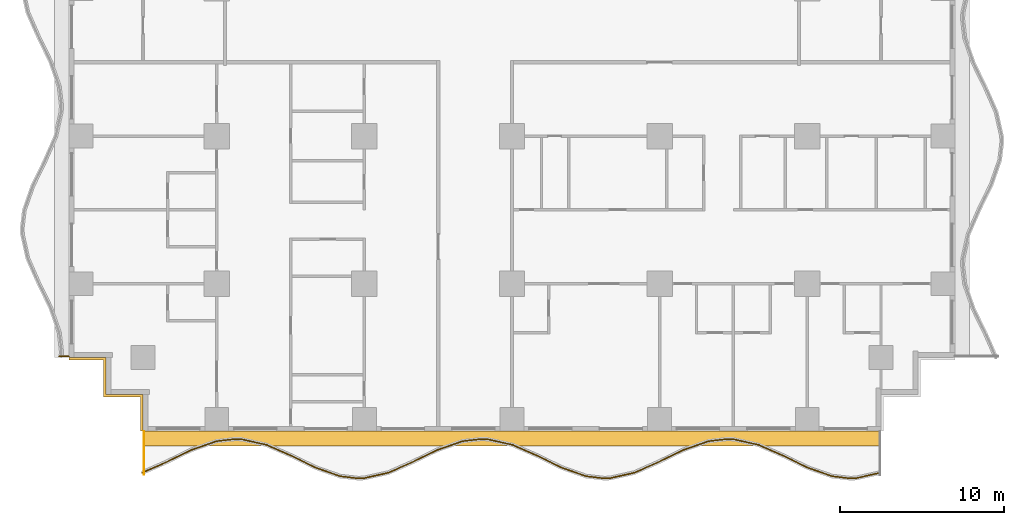
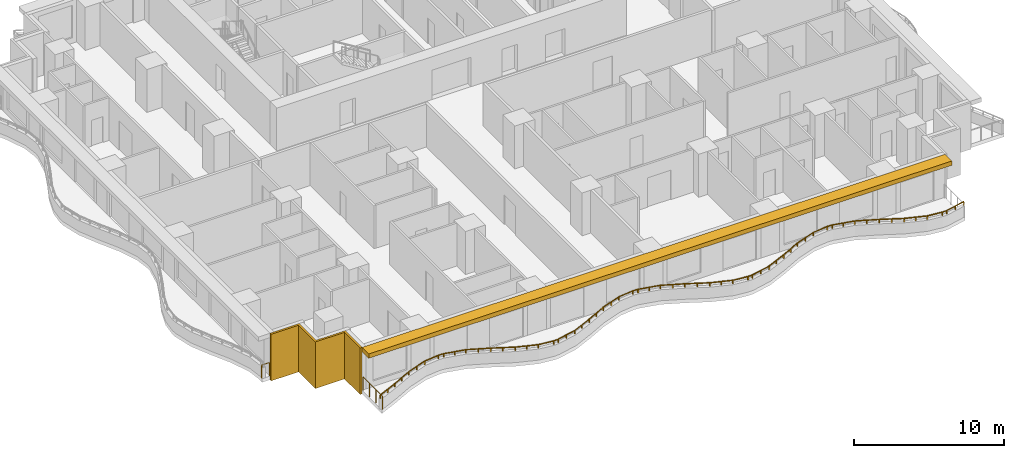
# One storey, part 8 of 14: 3 railings, 2 shading devices.
"""IFC4 building model written with IfcOpenShell, lengths in metres."""

from ifc_helpers import new_model, si_unit, direction, frame, origin, origin_2d, place, context, subcontext, project, spatial, polyline, rectangle, outline, extrude, material, layer, layer_set, type_object, element, save


model = new_model("IFC4")

# Units and contexts
model_context = context("Model", 3, precision=1e-05, world=origin(), true_north=direction((0.0, 1.0)))
body_context = subcontext(model_context, "Body", "Model", "MODEL_VIEW")
ifc_project = project(units=[si_unit("LENGTHUNIT", "METRE"), si_unit("AREAUNIT", "SQUARE_METRE"), si_unit("VOLUMEUNIT", "CUBIC_METRE"), si_unit("PLANEANGLEUNIT", "RADIAN"), si_unit("MASSUNIT", "GRAM", prefix="KILO")], contexts=[model_context])

# Site, building, storey
site_placement = place(None, origin())
site = spatial("IfcSite", under=ifc_project, at=site_placement, CompositionType="ELEMENT")
building_placement = place(site_placement, origin())
building = spatial("IfcBuilding", under=site, at=building_placement, Name="Orbiselva Terraces", CompositionType="ELEMENT")
storey_placement = place(building_placement, frame((0.0, 0.0, 26.4)))
storey = spatial("IfcBuildingStorey", under=building, at=storey_placement, Name="L06", CompositionType="ELEMENT", Elevation=26.4)

# Railings
ifc_material_1 = material(Name="Bonded two-ply safety glass balustrade, stainless steel posts", Category="steel")
railing_type_1 = type_object("IfcRailingType", Name="ENV-BALUSTRADE-1200", PredefinedType="BALUSTRADE", material=ifc_material_1)
railing_1_placement = place(storey_placement, frame((-22.550394, -25.034136, 0.9)))
element("IfcRailing", 1, at=railing_1_placement, inside=storey, type_object=railing_type_1, Name="Balcony balustrade L06 S", PredefinedType="BALUSTRADE", context=body_context, shape_type="SweptSolid", body=[
    extrude(outline(polyline([(0.028868, 0.0), (0.014434, 0.025), (-0.014434, 0.025), (-0.028868, 0.0), (-0.014434, -0.025), (0.014434, -0.025), (0.028868, 0.0)])), frame((0.0, 0.0, 0.275), z_axis=(0.915133498047, 0.403150940408, 0.0), x_axis=(-0.403150940408, 0.915133498047, 0.0)), (0.0, 0.0, 1.0), 1.636648),
    extrude(outline(polyline([(0.028868, 0.0), (0.014434, 0.025), (-0.014434, 0.025), (-0.028868, 0.0), (-0.014434, -0.025), (0.014434, -0.025), (0.028868, 0.0)])), frame((1.497751, 0.659816, 0.275), z_axis=(0.898578870221, 0.438812048596, 0.0), x_axis=(-0.438812048596, 0.898578870221, 0.0)), (0.0, 0.0, 1.0), 1.674225),
    extrude(outline(polyline([(0.028868, 0.0), (0.014434, 0.025), (-0.014434, 0.025), (-0.028868, 0.0), (-0.014434, -0.025), (0.014434, -0.025), (0.028868, 0.0)])), frame((3.002174, 1.394486, 0.275), z_axis=(0.943972332783, 0.330024597479, 0.0), x_axis=(-0.330024597479, 0.943972332783, 0.0)), (0.0, 0.0, 1.0), 1.610253),
    extrude(outline(polyline([(0.028868, 0.0), (0.014434, 0.025), (-0.014434, 0.025), (-0.028868, 0.0), (-0.014434, -0.025), (0.014434, -0.025), (0.028868, 0.0)])), frame((4.522208, 1.925909, 0.275), z_axis=(0.993309551734, 0.115482182324, 0.0), x_axis=(-0.115482182324, 0.993309551734, 0.0)), (0.0, 0.0, 1.0), 1.156135),
    extrude(outline(polyline([(0.028868, 0.0), (0.014434, 0.025), (-0.014434, 0.025), (-0.028868, 0.0), (-0.014434, -0.025), (0.014434, -0.025), (0.028868, 0.0)])), frame((5.670608, 2.059422, 0.275), z_axis=(0.999224734286, -0.03936915532, 0.0), x_axis=(0.03936915532, 0.999224734286, 0.0)), (0.0, 0.0, 1.0), 0.396376),
    extrude(outline(polyline([(0.028868, 0.0), (0.014434, 0.025), (-0.014434, 0.025), (-0.028868, 0.0), (-0.014434, -0.025), (0.014434, -0.025), (0.028868, 0.0)])), frame((6.066677, 2.043817, 0.275), z_axis=(0.97572137947, -0.219015500924, 0.0), x_axis=(0.219015500924, 0.97572137947, 0.0)), (0.0, 0.0, 1.0), 1.560867),
    extrude(outline(polyline([(0.028868, 0.0), (0.014434, 0.025), (-0.014434, 0.025), (-0.028868, 0.0), (-0.014434, -0.025), (0.014434, -0.025), (0.028868, 0.0)])), frame((7.589648, 1.701963, 0.275), z_axis=(0.915133527237, -0.403150874148, 0.0), x_axis=(0.403150874148, 0.915133527237, 0.0)), (0.0, 0.0, 1.0), 1.653736),
    extrude(outline(polyline([(0.028868, 0.0), (0.014434, 0.025), (-0.014434, 0.025), (-0.028868, 0.0), (-0.014434, -0.025), (0.014434, -0.025), (0.028868, 0.0)])), frame((9.103037, 1.035258, 0.275), z_axis=(0.89857890432, -0.438811978768, 0.0), x_axis=(0.438811978768, 0.89857890432, 0.0)), (0.0, 0.0, 1.0), 1.66438),
    extrude(outline(polyline([(0.028868, 0.0), (0.014434, 0.025), (-0.014434, 0.025), (-0.028868, 0.0), (-0.014434, -0.025), (0.014434, -0.025), (0.028868, 0.0)])), frame((10.598614, 0.304908, 0.275), z_axis=(0.943972277814, -0.330024754707, 0.0), x_axis=(0.330024754707, 0.943972277814, 0.0)), (0.0, 0.0, 1.0), 1.567807),
    extrude(outline(polyline([(0.028868, 0.0), (0.014434, 0.025), (-0.014434, 0.025), (-0.028868, 0.0), (-0.014434, -0.025), (0.014434, -0.025), (0.028868, 0.0)])), frame((12.07858, -0.212507, 0.275), z_axis=(0.993309658409, -0.115481264762, 0.0), x_axis=(0.115481264762, 0.993309658409, 0.0)), (0.0, 0.0, 1.0), 1.10902),
    extrude(outline(polyline([(0.028868, 0.0), (0.014434, 0.025), (-0.014434, 0.025), (-0.028868, 0.0), (-0.014434, -0.025), (0.014434, -0.025), (0.028868, 0.0)])), frame((13.18018, -0.340578, 0.275), z_axis=(0.999224931454, 0.039364150694, 0.0), x_axis=(-0.039364150694, 0.999224931454, 0.0)), (0.0, 0.0, 1.0), 0.354206),
    extrude(outline(polyline([(0.028868, 0.0), (0.014434, 0.025), (-0.014434, 0.025), (-0.028868, 0.0), (-0.014434, -0.025), (0.014434, -0.025), (0.028868, 0.0)])), frame((13.534111, -0.326635, 0.275), z_axis=(0.975721325753, 0.219015740235, 0.0), x_axis=(-0.219015740235, 0.975721325753, 0.0)), (0.0, 0.0, 1.0), 1.513782),
    extrude(outline(polyline([(0.028868, 0.0), (0.014434, 0.025), (-0.014434, 0.025), (-0.028868, 0.0), (-0.014434, -0.025), (0.014434, -0.025), (0.028868, 0.0)])), frame((15.01114, 0.004907, 0.275), z_axis=(0.915133363686, 0.403151245402, 0.0), x_axis=(-0.403151245402, 0.915133363686, 0.0)), (0.0, 0.0, 1.0), 1.624475),
    extrude(outline(polyline([(0.028868, 0.0), (0.014434, 0.025), (-0.014434, 0.025), (-0.028868, 0.0), (-0.014434, -0.025), (0.014434, -0.025), (0.028868, 0.0)])), frame((16.497751, 0.659816, 0.275), z_axis=(0.898578870221, 0.438812048596, 0.0), x_axis=(-0.438812048596, 0.898578870221, 0.0)), (0.0, 0.0, 1.0), 1.674225),
    extrude(outline(polyline([(0.028868, 0.0), (0.014434, 0.025), (-0.014434, 0.025), (-0.028868, 0.0), (-0.014434, -0.025), (0.014434, -0.025), (0.028868, 0.0)])), frame((18.002174, 1.394486, 0.275), z_axis=(0.943972332783, 0.330024597479, 0.0), x_axis=(-0.330024597479, 0.943972332783, 0.0)), (0.0, 0.0, 1.0), 1.610253),
    extrude(outline(polyline([(0.028868, 0.0), (0.014434, 0.025), (-0.014434, 0.025), (-0.028868, 0.0), (-0.014434, -0.025), (0.014434, -0.025), (0.028868, 0.0)])), frame((19.522208, 1.925909, 0.275), z_axis=(0.993309551734, 0.115482182324, 0.0), x_axis=(-0.115482182324, 0.993309551734, 0.0)), (0.0, 0.0, 1.0), 1.156135),
    extrude(outline(polyline([(0.028868, 0.0), (0.014434, 0.025), (-0.014434, 0.025), (-0.028868, 0.0), (-0.014434, -0.025), (0.014434, -0.025), (0.028868, 0.0)])), frame((20.670608, 2.059422, 0.275), z_axis=(0.999224734286, -0.03936915532, 0.0), x_axis=(0.03936915532, 0.999224734286, 0.0)), (0.0, 0.0, 1.0), 0.396376),
    extrude(outline(polyline([(0.028868, 0.0), (0.014434, 0.025), (-0.014434, 0.025), (-0.028868, 0.0), (-0.014434, -0.025), (0.014434, -0.025), (0.028868, 0.0)])), frame((21.066677, 2.043817, 0.275), z_axis=(0.97572137947, -0.219015500924, 0.0), x_axis=(0.219015500924, 0.97572137947, 0.0)), (0.0, 0.0, 1.0), 1.560867),
    extrude(outline(polyline([(0.028868, 0.0), (0.014434, 0.025), (-0.014434, 0.025), (-0.028868, 0.0), (-0.014434, -0.025), (0.014434, -0.025), (0.028868, 0.0)])), frame((22.589648, 1.701963, 0.275), z_axis=(0.915133527237, -0.403150874148, 0.0), x_axis=(0.403150874148, 0.915133527237, 0.0)), (0.0, 0.0, 1.0), 1.653736),
    extrude(outline(polyline([(0.028868, 0.0), (0.014434, 0.025), (-0.014434, 0.025), (-0.028868, 0.0), (-0.014434, -0.025), (0.014434, -0.025), (0.028868, 0.0)])), frame((24.103037, 1.035258, 0.275), z_axis=(0.89857890432, -0.438811978768, 0.0), x_axis=(0.438811978768, 0.89857890432, 0.0)), (0.0, 0.0, 1.0), 1.66438),
    extrude(outline(polyline([(0.028868, 0.0), (0.014434, 0.025), (-0.014434, 0.025), (-0.028868, 0.0), (-0.014434, -0.025), (0.014434, -0.025), (0.028868, 0.0)])), frame((25.598614, 0.304908, 0.275), z_axis=(0.943972277814, -0.330024754707, 0.0), x_axis=(0.330024754707, 0.943972277814, 0.0)), (0.0, 0.0, 1.0), 1.567807),
    extrude(outline(polyline([(0.028868, 0.0), (0.014434, 0.025), (-0.014434, 0.025), (-0.028868, 0.0), (-0.014434, -0.025), (0.014434, -0.025), (0.028868, 0.0)])), frame((27.07858, -0.212507, 0.275), z_axis=(0.993309658409, -0.115481264762, 0.0), x_axis=(0.115481264762, 0.993309658409, 0.0)), (0.0, 0.0, 1.0), 1.10902),
    extrude(outline(polyline([(0.028868, 0.0), (0.014434, 0.025), (-0.014434, 0.025), (-0.028868, 0.0), (-0.014434, -0.025), (0.014434, -0.025), (0.028868, 0.0)])), frame((28.18018, -0.340578, 0.275), z_axis=(0.999224931454, 0.039364150694, 0.0), x_axis=(-0.039364150694, 0.999224931454, 0.0)), (0.0, 0.0, 1.0), 0.354206),
    extrude(outline(polyline([(0.028868, 0.0), (0.014434, 0.025), (-0.014434, 0.025), (-0.028868, 0.0), (-0.014434, -0.025), (0.014434, -0.025), (0.028868, 0.0)])), frame((28.534111, -0.326635, 0.275), z_axis=(0.975721325753, 0.219015740235, 0.0), x_axis=(-0.219015740235, 0.975721325753, 0.0)), (0.0, 0.0, 1.0), 1.513782),
    extrude(outline(polyline([(0.028868, 0.0), (0.014434, 0.025), (-0.014434, 0.025), (-0.028868, 0.0), (-0.014434, -0.025), (0.014434, -0.025), (0.028868, 0.0)])), frame((30.01114, 0.004907, 0.275), z_axis=(0.915133363686, 0.403151245402, 0.0), x_axis=(-0.403151245402, 0.915133363686, 0.0)), (0.0, 0.0, 1.0), 1.624475),
    extrude(outline(polyline([(0.028868, 0.0), (0.014434, 0.025), (-0.014434, 0.025), (-0.028868, 0.0), (-0.014434, -0.025), (0.014434, -0.025), (0.028868, 0.0)])), frame((31.497751, 0.659816, 0.275), z_axis=(0.898578870221, 0.438812048596, 0.0), x_axis=(-0.438812048596, 0.898578870221, 0.0)), (0.0, 0.0, 1.0), 1.674225),
    extrude(outline(polyline([(0.028868, 0.0), (0.014434, 0.025), (-0.014434, 0.025), (-0.028868, 0.0), (-0.014434, -0.025), (0.014434, -0.025), (0.028868, 0.0)])), frame((33.002174, 1.394486, 0.275), z_axis=(0.943972332783, 0.330024597479, 0.0), x_axis=(-0.330024597479, 0.943972332783, 0.0)), (0.0, 0.0, 1.0), 1.610253),
    extrude(outline(polyline([(0.028868, 0.0), (0.014434, 0.025), (-0.014434, 0.025), (-0.028868, 0.0), (-0.014434, -0.025), (0.014434, -0.025), (0.028868, 0.0)])), frame((34.522208, 1.925909, 0.275), z_axis=(0.993309551734, 0.115482182324, 0.0), x_axis=(-0.115482182324, 0.993309551734, 0.0)), (0.0, 0.0, 1.0), 1.156135),
    extrude(outline(polyline([(0.028868, 0.0), (0.014434, 0.025), (-0.014434, 0.025), (-0.028868, 0.0), (-0.014434, -0.025), (0.014434, -0.025), (0.028868, 0.0)])), frame((35.670608, 2.059422, 0.275), z_axis=(0.999224734286, -0.03936915532, 0.0), x_axis=(0.03936915532, 0.999224734286, 0.0)), (0.0, 0.0, 1.0), 0.396376),
    extrude(outline(polyline([(0.028868, 0.0), (0.014434, 0.025), (-0.014434, 0.025), (-0.028868, 0.0), (-0.014434, -0.025), (0.014434, -0.025), (0.028868, 0.0)])), frame((36.066677, 2.043817, 0.275), z_axis=(0.97572137947, -0.219015500924, 0.0), x_axis=(0.219015500924, 0.97572137947, 0.0)), (0.0, 0.0, 1.0), 1.560867),
    extrude(outline(polyline([(0.028868, 0.0), (0.014434, 0.025), (-0.014434, 0.025), (-0.028868, 0.0), (-0.014434, -0.025), (0.014434, -0.025), (0.028868, 0.0)])), frame((37.589648, 1.701963, 0.275), z_axis=(0.915133527237, -0.403150874148, 0.0), x_axis=(0.403150874148, 0.915133527237, 0.0)), (0.0, 0.0, 1.0), 1.653736),
    extrude(outline(polyline([(0.028868, 0.0), (0.014434, 0.025), (-0.014434, 0.025), (-0.028868, 0.0), (-0.014434, -0.025), (0.014434, -0.025), (0.028868, 0.0)])), frame((39.103037, 1.035258, 0.275), z_axis=(0.89857890432, -0.438811978768, 0.0), x_axis=(0.438811978768, 0.89857890432, 0.0)), (0.0, 0.0, 1.0), 1.66438),
    extrude(outline(polyline([(0.028868, 0.0), (0.014434, 0.025), (-0.014434, 0.025), (-0.028868, 0.0), (-0.014434, -0.025), (0.014434, -0.025), (0.028868, 0.0)])), frame((40.598614, 0.304908, 0.275), z_axis=(0.943972277814, -0.330024754707, 0.0), x_axis=(0.330024754707, 0.943972277814, 0.0)), (0.0, 0.0, 1.0), 1.567807),
    extrude(outline(polyline([(0.028868, 0.0), (0.014434, 0.025), (-0.014434, 0.025), (-0.028868, 0.0), (-0.014434, -0.025), (0.014434, -0.025), (0.028868, 0.0)])), frame((42.07858, -0.212507, 0.275), z_axis=(0.993309658409, -0.115481264762, 0.0), x_axis=(0.115481264762, 0.993309658409, 0.0)), (0.0, 0.0, 1.0), 1.10902),
    extrude(outline(polyline([(0.028868, 0.0), (0.014434, 0.025), (-0.014434, 0.025), (-0.028868, 0.0), (-0.014434, -0.025), (0.014434, -0.025), (0.028868, 0.0)])), frame((43.18018, -0.340578, 0.275), z_axis=(0.999224931454, 0.039364150694, 0.0), x_axis=(-0.039364150694, 0.999224931454, 0.0)), (0.0, 0.0, 1.0), 0.354206),
    extrude(outline(polyline([(0.028868, 0.0), (0.014434, 0.025), (-0.014434, 0.025), (-0.028868, 0.0), (-0.014434, -0.025), (0.014434, -0.025), (0.028868, 0.0)])), frame((43.534111, -0.326635, 0.275), z_axis=(0.975721322437, 0.21901575501, 0.0), x_axis=(-0.21901575501, 0.975721322437, 0.0)), (0.0, 0.0, 1.0), 1.525954),
    extrude(rectangle(XDim=0.05, YDim=0.05, at=origin_2d()), origin(), (0.0, 0.0, 1.0), 0.25),
    extrude(rectangle(XDim=0.05, YDim=0.05, at=origin_2d()), frame((0.748876, 0.329908, 0.0)), (0.0, 0.0, 1.0), 0.25),
    extrude(rectangle(XDim=0.05, YDim=0.05, at=origin_2d()), frame((1.497751, 0.659816, 0.0)), (0.0, 0.0, 1.0), 0.25),
    extrude(rectangle(XDim=0.05, YDim=0.05, at=origin_2d()), frame((2.249963, 1.027151, 0.0)), (0.0, 0.0, 1.0), 0.25),
    extrude(rectangle(XDim=0.05, YDim=0.05, at=origin_2d()), frame((3.002174, 1.394486, 0.0)), (0.0, 0.0, 1.0), 0.25),
    extrude(rectangle(XDim=0.05, YDim=0.05, at=origin_2d()), frame((3.762191, 1.660198, 0.0)), (0.0, 0.0, 1.0), 0.25),
    extrude(rectangle(XDim=0.05, YDim=0.05, at=origin_2d()), frame((4.522208, 1.925909, 0.0)), (0.0, 0.0, 1.0), 0.25),
    extrude(rectangle(XDim=0.05, YDim=0.05, at=origin_2d()), frame((5.670608, 2.059422, 0.0)), (0.0, 0.0, 1.0), 0.25),
    extrude(rectangle(XDim=0.05, YDim=0.05, at=origin_2d()), frame((6.066677, 2.043817, 0.0)), (0.0, 0.0, 1.0), 0.25),
    extrude(rectangle(XDim=0.05, YDim=0.05, at=origin_2d()), frame((6.828163, 1.87289, 0.0)), (0.0, 0.0, 1.0), 0.25),
    extrude(rectangle(XDim=0.05, YDim=0.05, at=origin_2d()), frame((7.589648, 1.701963, 0.0)), (0.0, 0.0, 1.0), 0.25),
    extrude(rectangle(XDim=0.05, YDim=0.05, at=origin_2d()), frame((8.346342, 1.36861, 0.0)), (0.0, 0.0, 1.0), 0.25),
    extrude(rectangle(XDim=0.05, YDim=0.05, at=origin_2d()), frame((9.103037, 1.035258, 0.0)), (0.0, 0.0, 1.0), 0.25),
    extrude(rectangle(XDim=0.05, YDim=0.05, at=origin_2d()), frame((9.850826, 0.670083, 0.0)), (0.0, 0.0, 1.0), 0.25),
    extrude(rectangle(XDim=0.05, YDim=0.05, at=origin_2d()), frame((10.598614, 0.304908, 0.0)), (0.0, 0.0, 1.0), 0.25),
    extrude(rectangle(XDim=0.05, YDim=0.05, at=origin_2d()), frame((11.338597, 0.046201, 0.0)), (0.0, 0.0, 1.0), 0.25),
    extrude(rectangle(XDim=0.05, YDim=0.05, at=origin_2d()), frame((12.07858, -0.212507, 0.0)), (0.0, 0.0, 1.0), 0.25),
    extrude(rectangle(XDim=0.05, YDim=0.05, at=origin_2d()), frame((13.18018, -0.340578, 0.0)), (0.0, 0.0, 1.0), 0.25),
    extrude(rectangle(XDim=0.05, YDim=0.05, at=origin_2d()), frame((13.534111, -0.326635, 0.0)), (0.0, 0.0, 1.0), 0.25),
    extrude(rectangle(XDim=0.05, YDim=0.05, at=origin_2d()), frame((14.272626, -0.160864, 0.0)), (0.0, 0.0, 1.0), 0.25),
    extrude(rectangle(XDim=0.05, YDim=0.05, at=origin_2d()), frame((15.01114, 0.004907, 0.0)), (0.0, 0.0, 1.0), 0.25),
    extrude(rectangle(XDim=0.05, YDim=0.05, at=origin_2d()), frame((15.754446, 0.332361, 0.0)), (0.0, 0.0, 1.0), 0.25),
    extrude(rectangle(XDim=0.05, YDim=0.05, at=origin_2d()), frame((16.497751, 0.659816, 0.0)), (0.0, 0.0, 1.0), 0.25),
    extrude(rectangle(XDim=0.05, YDim=0.05, at=origin_2d()), frame((17.249963, 1.027151, 0.0)), (0.0, 0.0, 1.0), 0.25),
    extrude(rectangle(XDim=0.05, YDim=0.05, at=origin_2d()), frame((18.002174, 1.394486, 0.0)), (0.0, 0.0, 1.0), 0.25),
    extrude(rectangle(XDim=0.05, YDim=0.05, at=origin_2d()), frame((18.762191, 1.660198, 0.0)), (0.0, 0.0, 1.0), 0.25),
    extrude(rectangle(XDim=0.05, YDim=0.05, at=origin_2d()), frame((19.522208, 1.925909, 0.0)), (0.0, 0.0, 1.0), 0.25),
    extrude(rectangle(XDim=0.05, YDim=0.05, at=origin_2d()), frame((20.670608, 2.059422, 0.0)), (0.0, 0.0, 1.0), 0.25),
    extrude(rectangle(XDim=0.05, YDim=0.05, at=origin_2d()), frame((21.066677, 2.043817, 0.0)), (0.0, 0.0, 1.0), 0.25),
    extrude(rectangle(XDim=0.05, YDim=0.05, at=origin_2d()), frame((21.828162, 1.87289, 0.0)), (0.0, 0.0, 1.0), 0.25),
    extrude(rectangle(XDim=0.05, YDim=0.05, at=origin_2d()), frame((22.589648, 1.701963, 0.0)), (0.0, 0.0, 1.0), 0.25),
    extrude(rectangle(XDim=0.05, YDim=0.05, at=origin_2d()), frame((23.346342, 1.36861, 0.0)), (0.0, 0.0, 1.0), 0.25),
    extrude(rectangle(XDim=0.05, YDim=0.05, at=origin_2d()), frame((24.103037, 1.035258, 0.0)), (0.0, 0.0, 1.0), 0.25),
    extrude(rectangle(XDim=0.05, YDim=0.05, at=origin_2d()), frame((24.850826, 0.670083, 0.0)), (0.0, 0.0, 1.0), 0.25),
    extrude(rectangle(XDim=0.05, YDim=0.05, at=origin_2d()), frame((25.598614, 0.304908, 0.0)), (0.0, 0.0, 1.0), 0.25),
    extrude(rectangle(XDim=0.05, YDim=0.05, at=origin_2d()), frame((26.338597, 0.046201, 0.0)), (0.0, 0.0, 1.0), 0.25),
    extrude(rectangle(XDim=0.05, YDim=0.05, at=origin_2d()), frame((27.07858, -0.212507, 0.0)), (0.0, 0.0, 1.0), 0.25),
    extrude(rectangle(XDim=0.05, YDim=0.05, at=origin_2d()), frame((28.18018, -0.340578, 0.0)), (0.0, 0.0, 1.0), 0.25),
    extrude(rectangle(XDim=0.05, YDim=0.05, at=origin_2d()), frame((28.534111, -0.326635, 0.0)), (0.0, 0.0, 1.0), 0.25),
    extrude(rectangle(XDim=0.05, YDim=0.05, at=origin_2d()), frame((29.272626, -0.160864, 0.0)), (0.0, 0.0, 1.0), 0.25),
    extrude(rectangle(XDim=0.05, YDim=0.05, at=origin_2d()), frame((30.01114, 0.004907, 0.0)), (0.0, 0.0, 1.0), 0.25),
    extrude(rectangle(XDim=0.05, YDim=0.05, at=origin_2d()), frame((30.754446, 0.332361, 0.0)), (0.0, 0.0, 1.0), 0.25),
    extrude(rectangle(XDim=0.05, YDim=0.05, at=origin_2d()), frame((31.497751, 0.659816, 0.0)), (0.0, 0.0, 1.0), 0.25),
    extrude(rectangle(XDim=0.05, YDim=0.05, at=origin_2d()), frame((32.249962, 1.027151, 0.0)), (0.0, 0.0, 1.0), 0.25),
    extrude(rectangle(XDim=0.05, YDim=0.05, at=origin_2d()), frame((33.002174, 1.394486, 0.0)), (0.0, 0.0, 1.0), 0.25),
    extrude(rectangle(XDim=0.05, YDim=0.05, at=origin_2d()), frame((33.762191, 1.660198, 0.0)), (0.0, 0.0, 1.0), 0.25),
    extrude(rectangle(XDim=0.05, YDim=0.05, at=origin_2d()), frame((34.522208, 1.925909, 0.0)), (0.0, 0.0, 1.0), 0.25),
    extrude(rectangle(XDim=0.05, YDim=0.05, at=origin_2d()), frame((35.670608, 2.059422, 0.0)), (0.0, 0.0, 1.0), 0.25),
    extrude(rectangle(XDim=0.05, YDim=0.05, at=origin_2d()), frame((36.066677, 2.043817, 0.0)), (0.0, 0.0, 1.0), 0.25),
    extrude(rectangle(XDim=0.05, YDim=0.05, at=origin_2d()), frame((36.828162, 1.87289, 0.0)), (0.0, 0.0, 1.0), 0.25),
    extrude(rectangle(XDim=0.05, YDim=0.05, at=origin_2d()), frame((37.589648, 1.701963, 0.0)), (0.0, 0.0, 1.0), 0.25),
    extrude(rectangle(XDim=0.05, YDim=0.05, at=origin_2d()), frame((38.346342, 1.36861, 0.0)), (0.0, 0.0, 1.0), 0.25),
    extrude(rectangle(XDim=0.05, YDim=0.05, at=origin_2d()), frame((39.103037, 1.035258, 0.0)), (0.0, 0.0, 1.0), 0.25),
    extrude(rectangle(XDim=0.05, YDim=0.05, at=origin_2d()), frame((39.850826, 0.670083, 0.0)), (0.0, 0.0, 1.0), 0.25),
    extrude(rectangle(XDim=0.05, YDim=0.05, at=origin_2d()), frame((40.598614, 0.304908, 0.0)), (0.0, 0.0, 1.0), 0.25),
    extrude(rectangle(XDim=0.05, YDim=0.05, at=origin_2d()), frame((41.338597, 0.046201, 0.0)), (0.0, 0.0, 1.0), 0.25),
    extrude(rectangle(XDim=0.05, YDim=0.05, at=origin_2d()), frame((42.07858, -0.212507, 0.0)), (0.0, 0.0, 1.0), 0.25),
    extrude(rectangle(XDim=0.05, YDim=0.05, at=origin_2d()), frame((43.18018, -0.340578, 0.0)), (0.0, 0.0, 1.0), 0.25),
    extrude(rectangle(XDim=0.05, YDim=0.05, at=origin_2d()), frame((43.534111, -0.326635, 0.0)), (0.0, 0.0, 1.0), 0.25),
    extrude(rectangle(XDim=0.05, YDim=0.05, at=origin_2d()), frame((44.278564, -0.159531, 0.0)), (0.0, 0.0, 1.0), 0.25),
    extrude(rectangle(XDim=0.05, YDim=0.05, at=origin_2d()), frame((45.023017, 0.007573, 0.0)), (0.0, 0.0, 1.0), 0.25),
])
ifc_material_2 = material(Name="Stainless steel rail and posts", Category="steel")
railing_type_2 = type_object("IfcRailingType", Name="ENV-GUARD-1105", PredefinedType="BALUSTRADE", material=ifc_material_2)
railing_2_placement = place(storey_placement, frame((-22.44, -25.126937, 0.0)))
element("IfcRailing", 2, at=railing_2_placement, inside=storey, type_object=railing_type_2, Name="Balcony end guard L06 S", PredefinedType="BALUSTRADE", context=body_context, shape_type="SweptSolid", body=[
    extrude(outline(polyline([(0.028868, 0.0), (0.014434, 0.025), (-0.014434, 0.025), (-0.028868, 0.0), (-0.014434, -0.025), (0.014434, -0.025), (0.028868, 0.0)])), frame((0.0, 0.0, 1.08), z_axis=(0.0, 1.0, 0.0), x_axis=(-1.0, 0.0, 0.0)), (0.0, 0.0, 1.0), 2.601937),
    extrude(rectangle(XDim=0.05, YDim=0.05, at=origin_2d()), origin(), (0.0, 0.0, 1.0), 1.055),
    extrude(rectangle(XDim=0.05, YDim=0.05, at=origin_2d()), frame((0.0, 0.867312, 0.0)), (0.0, 0.0, 1.0), 1.055),
    extrude(rectangle(XDim=0.05, YDim=0.05, at=origin_2d()), frame((0.0, 1.734625, 0.0)), (0.0, 0.0, 1.0), 1.055),
    extrude(rectangle(XDim=0.05, YDim=0.05, at=origin_2d()), frame((0.0, 2.601937, 0.0)), (0.0, 0.0, 1.0), 1.055),
])
railing_3_placement = place(storey_placement, frame((-27.610431, -17.94, 0.0)))
element("IfcRailing", 3, at=railing_3_placement, inside=storey, type_object=railing_type_2, Name="Balcony end guard L06 W", PredefinedType="BALUSTRADE", context=body_context, shape_type="SweptSolid", body=[
    extrude(outline(polyline([(0.028868, 0.0), (0.014434, 0.025), (-0.014434, 0.025), (-0.028868, 0.0), (-0.014434, -0.025), (0.014434, -0.025), (0.028868, 0.0)])), frame((0.0, 0.0, 1.08), z_axis=(1.0, 0.0, 0.0), x_axis=(0.0, 1.0, 0.0)), (0.0, 0.0, 1.0), 0.585431),
    extrude(rectangle(XDim=0.05, YDim=0.05, at=origin_2d()), origin(), (0.0, 0.0, 1.0), 1.055),
    extrude(rectangle(XDim=0.05, YDim=0.05, at=origin_2d()), frame((0.585431, 0.0, 0.0)), (0.0, 0.0, 1.0), 1.055),
])

# Shading devices
ifc_material_3 = material(Name="Terracotta louvre screen", Category="masonry")
ifc_layer_1 = layer(ifc_material_3, 0.15)
ifc_layer_set_1 = layer_set([ifc_layer_1], Name="Terracotta louvre screen")
shading_device_type_1 = type_object("IfcShadingDeviceType", Name="ENV-SCREEN-150", PredefinedType="USERDEFINED", material=ifc_layer_set_1)
shading_device_1_placement = place(storey_placement, frame((0.0, 0.0, -0.3)))
element("IfcShadingDevice", 4, at=shading_device_1_placement, inside=storey, type_object=shading_device_type_1, Name="Louvre screen L06 SW", ObjectType="SCREEN", PredefinedType="USERDEFINED", context=body_context, shape_type="SweptSolid", body=[
    extrude(outline(polyline([(-27.0, -18.15), (-24.9, -18.15), (-24.9, -20.4), (-22.65, -20.4), (-22.65, -22.5), (-22.5, -22.5), (-22.5, -20.25), (-24.75, -20.25), (-24.75, -18.0), (-27.0, -18.0), (-27.0, -18.15)])), origin(), (0.0, 0.0, 1.0), 3.8),
])
ifc_material_4 = material(Name="Terracotta baguette sunshade", Category="masonry")
ifc_layer_2 = layer(ifc_material_4, 0.35)
ifc_layer_set_2 = layer_set([ifc_layer_2], Name="Terracotta baguette sunshade")
shading_device_type_2 = type_object("IfcShadingDeviceType", Name="ENV-SUNSHADE-900x350", PredefinedType="USERDEFINED", material=ifc_layer_set_2)
shading_device_2_placement = place(storey_placement, frame((0.0, 0.0, 3.15)))
element("IfcShadingDevice", 5, at=shading_device_2_placement, inside=storey, type_object=shading_device_type_2, Name="Sunshade band L06 S", ObjectType="SUNSHADE", PredefinedType="USERDEFINED", context=body_context, shape_type="SweptSolid", body=[
    extrude(outline(polyline([(-22.5, -23.4), (22.5, -23.4), (22.5, -22.5), (-22.5, -22.5), (-22.5, -23.4)])), origin(), (0.0, 0.0, 1.0), 0.35),
])

save(model, "model.ifc")
